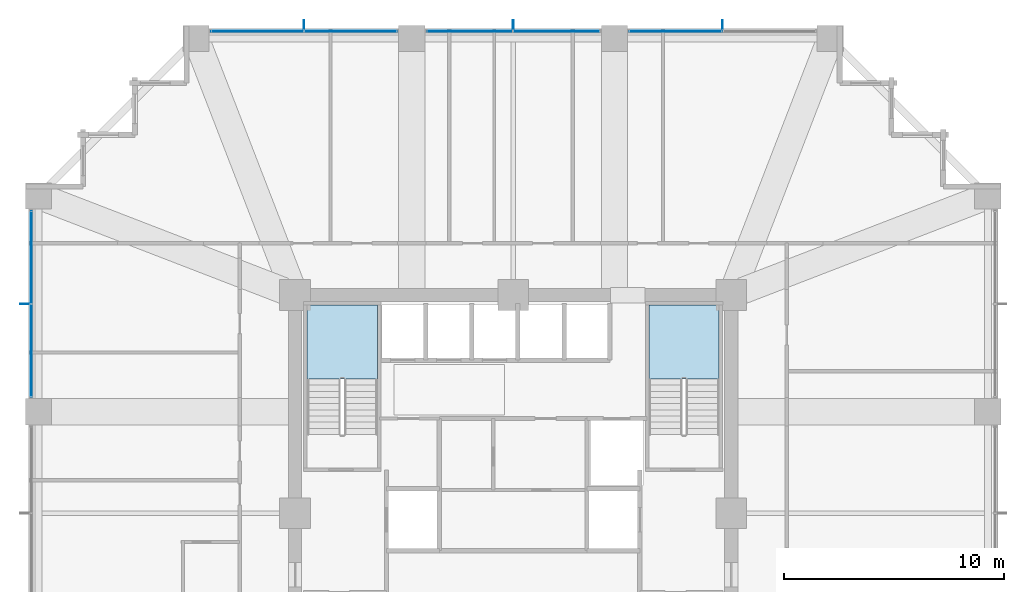
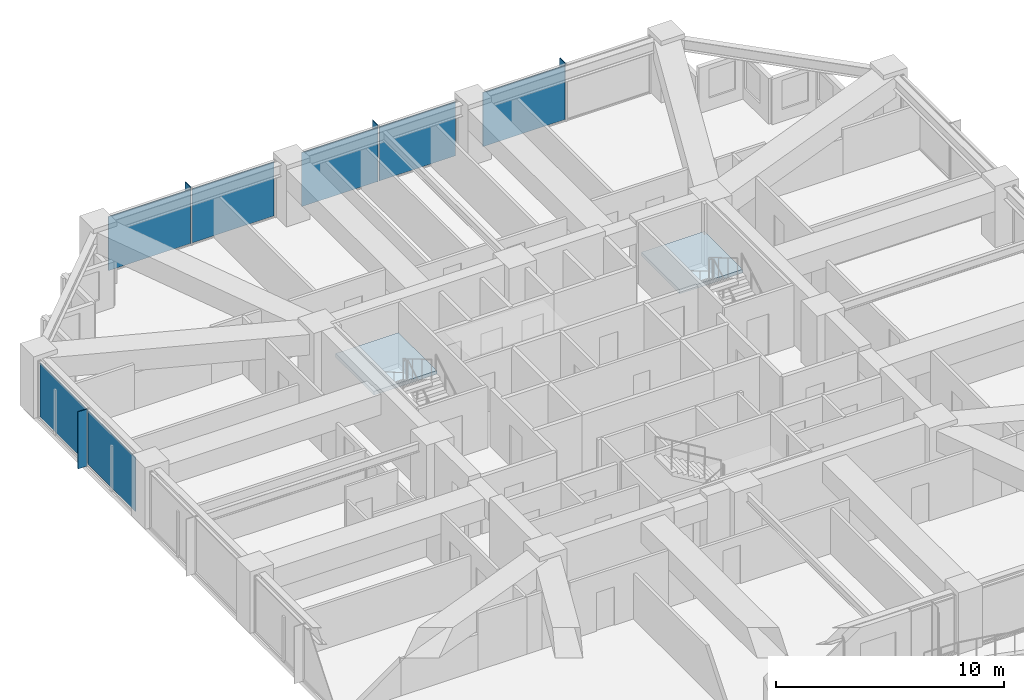
# One storey, part 30 of 37: 11 plates, 2 slabs, 6 elements without a shape of their own.
"""IFC4 building model written with IfcOpenShell, lengths in metres."""

from ifc_helpers import new_model, si_unit, direction, frame, origin, origin_2d, place, context, subcontext, project, spatial, polyline, rectangle, outline, extrude, material, layer, layer_set, type_object, element, aggregate, save


model = new_model("IFC4")

# Units and contexts
model_context = context("Model", 3, precision=1e-05, world=origin(), true_north=direction((0.0, 1.0)))
body_context = subcontext(model_context, "Body", "Model", "MODEL_VIEW")
ifc_project = project(units=[si_unit("LENGTHUNIT", "METRE"), si_unit("AREAUNIT", "SQUARE_METRE"), si_unit("VOLUMEUNIT", "CUBIC_METRE"), si_unit("PLANEANGLEUNIT", "RADIAN"), si_unit("MASSUNIT", "GRAM", prefix="KILO")], contexts=[model_context])

# Site, building, storey
site_placement = place(None, origin())
site = spatial("IfcSite", under=ifc_project, at=site_placement, CompositionType="ELEMENT")
building_placement = place(site_placement, origin())
building = spatial("IfcBuilding", under=site, at=building_placement, Name="Kolvaren Belvedere", CompositionType="ELEMENT")
storey_placement = place(building_placement, frame((0.0, 0.0, 37.0)))
storey = spatial("IfcBuildingStorey", under=building, at=storey_placement, Name="L10", CompositionType="ELEMENT", Elevation=37.0)

# Curtain wall, plates
ifc_material_1 = material(Name="Anodised pale-metal aluminium AA 6063-T6", Category="aluminium")
curtain_wall_type = type_object("IfcCurtainWallType", Name="CW-Z1-LOW", PredefinedType="NOTDEFINED", material=ifc_material_1)
curtain_wall_1_placement = place(storey_placement, origin())
curtain_wall_1 = element("IfcCurtainWall", 1, at=curtain_wall_1_placement, inside=storey, type_object=curtain_wall_type, Name="L10 Unitised Curtain Wall FCW-L10-N-B1", PredefinedType="NOTDEFINED")
ifc_material_2 = material(Name="Low-iron triple insulated glass", Category="glass")
ifc_layer_1 = layer(ifc_material_2, 0.028076171875)
ifc_layer_set_1 = layer_set([ifc_layer_1], Name="Low-iron triple insulated glass")
plate_type_1 = type_object("IfcPlateType", Name="CW-PNL-VIS28", PredefinedType="CURTAIN_PANEL", material=ifc_layer_set_1)
plate_1_placement = place(storey_placement, frame((-11.62255859375, 21.8798828125, 0.080078125), z_axis=(0.0, 0.0, 1.0), x_axis=(1.0, 0.0, 0.0)))
plate_1 = element("IfcPlate", 2, at=plate_1_placement, type_object=plate_type_1, Name="FCW-L10-N-B1 Vision Glazing Panel 1", PredefinedType="CURTAIN_PANEL", context=body_context, shape_type="SweptSolid", body=[
    extrude(rectangle(XDim=4.1650390625, YDim=0.028076171875, at=origin_2d()), origin(), (0.0, 0.0, 1.0), 2.89990234375),
])
plate_2_placement = place(storey_placement, frame((-7.37744140625, 21.8798828125, 0.080078125), z_axis=(0.0, 0.0, 1.0), x_axis=(1.0, 0.0, 0.0)))
plate_2 = element("IfcPlate", 3, at=plate_2_placement, type_object=plate_type_1, Name="FCW-L10-N-B1 Vision Glazing Panel 2", PredefinedType="CURTAIN_PANEL", context=body_context, shape_type="SweptSolid", body=[
    extrude(rectangle(XDim=4.1650390625, YDim=0.028076171875, at=origin_2d()), origin(), (0.0, 0.0, 1.0), 2.89990234375),
])
aggregate(curtain_wall_1, [plate_1, plate_2])

curtain_wall_2_placement = place(storey_placement, origin())
curtain_wall_2 = element("IfcCurtainWall", 4, at=curtain_wall_2_placement, inside=storey, type_object=curtain_wall_type, Name="L10 Unitised Curtain Wall FCW-L10-N-B2", PredefinedType="NOTDEFINED")
plate_3_placement = place(storey_placement, frame((-1.972412109375, 21.8798828125, 0.080078125), z_axis=(0.0, 0.0, 1.0), x_axis=(1.0, 0.0, 0.0)))
plate_3 = element("IfcPlate", 5, at=plate_3_placement, type_object=plate_type_1, Name="FCW-L10-N-B2 Vision Glazing Panel 1", PredefinedType="CURTAIN_PANEL", context=body_context, shape_type="SweptSolid", body=[
    extrude(rectangle(XDim=3.864990234375, YDim=0.028076171875, at=origin_2d()), origin(), (0.0, 0.0, 1.0), 2.89990234375),
])
plate_4_placement = place(storey_placement, frame((1.972412109375, 21.8798828125, 0.080078125), z_axis=(0.0, 0.0, 1.0), x_axis=(1.0, 0.0, 0.0)))
plate_4 = element("IfcPlate", 6, at=plate_4_placement, type_object=plate_type_1, Name="FCW-L10-N-B2 Vision Glazing Panel 2", PredefinedType="CURTAIN_PANEL", context=body_context, shape_type="SweptSolid", body=[
    extrude(rectangle(XDim=3.864990234375, YDim=0.028076171875, at=origin_2d()), origin(), (0.0, 0.0, 1.0), 2.89990234375),
])
aggregate(curtain_wall_2, [plate_3, plate_4])

# Curtain wall, plate
curtain_wall_3_placement = place(storey_placement, origin())
curtain_wall_3 = element("IfcCurtainWall", 7, at=curtain_wall_3_placement, inside=storey, type_object=curtain_wall_type, Name="L10 Unitised Curtain Wall FCW-L10-N-B3", PredefinedType="NOTDEFINED")
plate_5_placement = place(storey_placement, frame((7.37744140625, 21.8798828125, 0.080078125), z_axis=(0.0, 0.0, 1.0), x_axis=(1.0, 0.0, 0.0)))
plate_5 = element("IfcPlate", 8, at=plate_5_placement, type_object=plate_type_1, Name="FCW-L10-N-B3 Vision Glazing Panel 1", PredefinedType="CURTAIN_PANEL", context=body_context, shape_type="SweptSolid", body=[
    extrude(rectangle(XDim=4.1650390625, YDim=0.028076171875, at=origin_2d()), origin(), (0.0, 0.0, 1.0), 2.89990234375),
])
aggregate(curtain_wall_3, [plate_5])

# Curtain wall, plates
curtain_wall_4_placement = place(storey_placement, origin())
curtain_wall_4 = element("IfcCurtainWall", 9, at=curtain_wall_4_placement, inside=storey, type_object=curtain_wall_type, Name="L10 Unitised Curtain Wall FCW-L10-W-B3", PredefinedType="NOTDEFINED")
plate_6_placement = place(storey_placement, frame((-21.8798828125, 7.37744140625, 0.080078125), z_axis=(0.0, 0.0, 1.0), x_axis=(0.0, 1.0, 0.0)))
plate_6 = element("IfcPlate", 10, at=plate_6_placement, type_object=plate_type_1, Name="FCW-L10-W-B3 Vision Glazing Panel 1", PredefinedType="CURTAIN_PANEL", context=body_context, shape_type="SweptSolid", body=[
    extrude(rectangle(XDim=4.1650390625, YDim=0.028076171875, at=origin_2d()), origin(), (0.0, 0.0, 1.0), 2.89990234375),
])
plate_7_placement = place(storey_placement, frame((-21.8798828125, 11.62255859375, 0.080078125), z_axis=(0.0, 0.0, 1.0), x_axis=(0.0, 1.0, 0.0)))
plate_7 = element("IfcPlate", 11, at=plate_7_placement, type_object=plate_type_1, Name="FCW-L10-W-B3 Vision Glazing Panel 2", PredefinedType="CURTAIN_PANEL", context=body_context, shape_type="SweptSolid", body=[
    extrude(rectangle(XDim=4.1650390625, YDim=0.028076171875, at=origin_2d()), origin(), (0.0, 0.0, 1.0), 2.89990234375),
])
aggregate(curtain_wall_4, [plate_6, plate_7])

# Plates
ifc_material_3 = material(Name="Anodised pale-metal aluminium AA 6063-T6", Category="aluminium")
ifc_layer_2 = layer(ifc_material_3, 0.0380859375)
ifc_layer_set_2 = layer_set([ifc_layer_2], Name="Anodised pale-metal aluminium AA 6063-T6")
plate_type_2 = type_object("IfcPlateType", Name="FIN-VERT-450", PredefinedType="USERDEFINED", material=ifc_layer_set_2)
for number, where, z_axis, x_axis, name in (
    (12, (-9.5, 22.1650390625, 0.0), (0.0, 0.0, 1.0), (0.0, 1.0, 0.0), "L10 Pale-Metal Vertical Shading Fin FCW-L10-N-B1-1"),
    (13, (0.0, 22.1650390625, 0.0), (0.0, 0.0, 1.0), (0.0, 1.0, 0.0), "L10 Pale-Metal Vertical Shading Fin FCW-L10-N-B2-1"),
    (14, (9.5, 22.1650390625, 0.0), (0.0, 0.0, 1.0), (0.0, 1.0, 0.0), "L10 Pale-Metal Vertical Shading Fin FCW-L10-N-B3-1"),
    (15, (-22.1650390625, 9.5, 0.0), (0.0, 0.0, 1.0), (1.0, 0.0, 0.0), "L10 Pale-Metal Vertical Shading Fin FCW-L10-W-B3-1"),
):
    element("IfcPlate", number, at=place(storey_placement, frame(where, z_axis=z_axis, x_axis=x_axis)), inside=storey, type_object=plate_type_2, Name=name, ObjectType="VERTICAL FIN", PredefinedType="USERDEFINED", context=body_context, shape_type="SweptSolid", body=[
        extrude(rectangle(XDim=0.449951171875, YDim=0.0380859375, at=origin_2d()), origin(), (0.0, 0.0, 1.0), 3.06005859375),
    ])

# Stair, slab
ifc_material_4 = material(Name="Concrete C50/60", Category="concrete")
stair_type = type_object("IfcStairType", Name="ST-CORE-1520", PredefinedType="HALF_TURN_STAIR", material=ifc_material_4)
stair_1_placement = place(storey_placement, origin())
stair_1 = element("IfcStair", 16, at=stair_1_placement, inside=storey, type_object=stair_type, Name="L10 Protected Exit Stair ST-1", PredefinedType="HALF_TURN_STAIR")
ifc_material_5 = material(Name="Concrete C50/60", Category="concrete")
ifc_layer_3 = layer(ifc_material_5, 0.260009765625)
ifc_layer_set_3 = layer_set([ifc_layer_3], Name="Concrete C50/60")
slab_type = type_object("IfcSlabType", Name="SL-LAND-260", PredefinedType="LANDING", material=ifc_layer_set_3)
slab_1_placement = place(storey_placement, frame((0.0, 0.0, 1.449951171875)))
slab_1 = element("IfcSlab", 17, at=slab_1_placement, type_object=slab_type, Name="ST-1 landing 1", PredefinedType="LANDING", context=body_context, shape_type="SweptSolid", body=[
    extrude(outline(polyline([(-6.159912109375, 6.090087890625), (-6.159912109375, 9.449951171875), (-9.35009765625, 9.449951171875), (-9.35009765625, 6.090087890625), (-6.159912109375, 6.090087890625)])), origin(), (0.0, 0.0, 1.0), 0.199951171875),
])
aggregate(stair_1, [slab_1])

stair_2_placement = place(storey_placement, origin())
stair_2 = element("IfcStair", 18, at=stair_2_placement, inside=storey, type_object=stair_type, Name="L10 Protected Exit Stair ST-2", PredefinedType="HALF_TURN_STAIR")
slab_2_placement = place(storey_placement, frame((0.0, 0.0, 1.449951171875)))
slab_2 = element("IfcSlab", 19, at=slab_2_placement, type_object=slab_type, Name="ST-2 landing 1", PredefinedType="LANDING", context=body_context, shape_type="SweptSolid", body=[
    extrude(outline(polyline([(9.35009765625, 6.090087890625), (9.35009765625, 9.449951171875), (6.159912109375, 9.449951171875), (6.159912109375, 6.090087890625), (9.35009765625, 6.090087890625)])), origin(), (0.0, 0.0, 1.0), 0.199951171875),
])
aggregate(stair_2, [slab_2])

save(model, "model.ifc")
